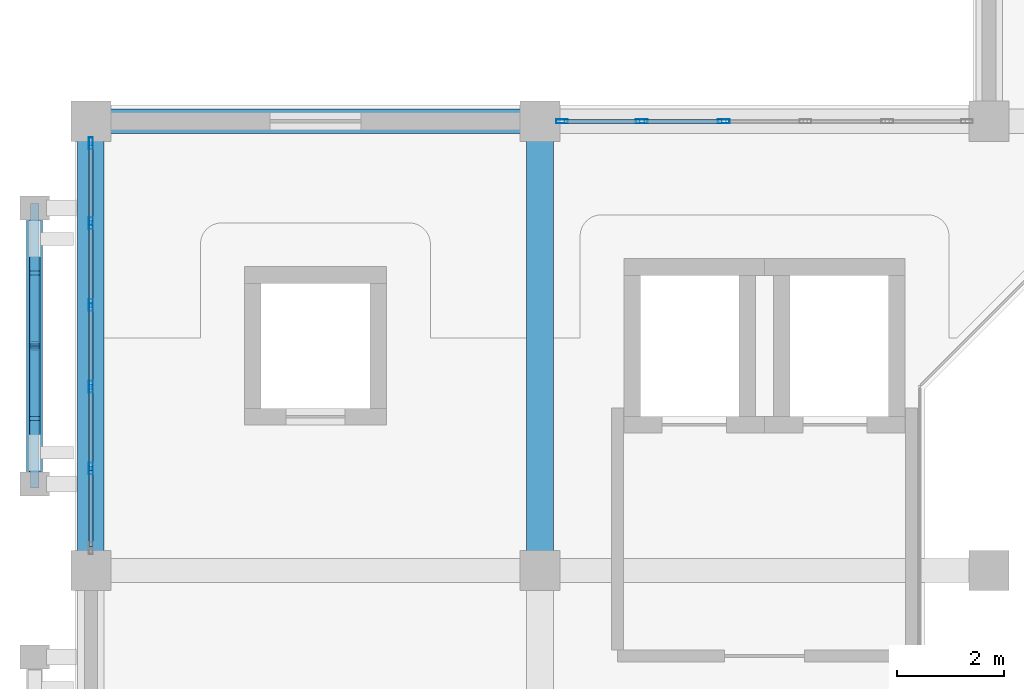
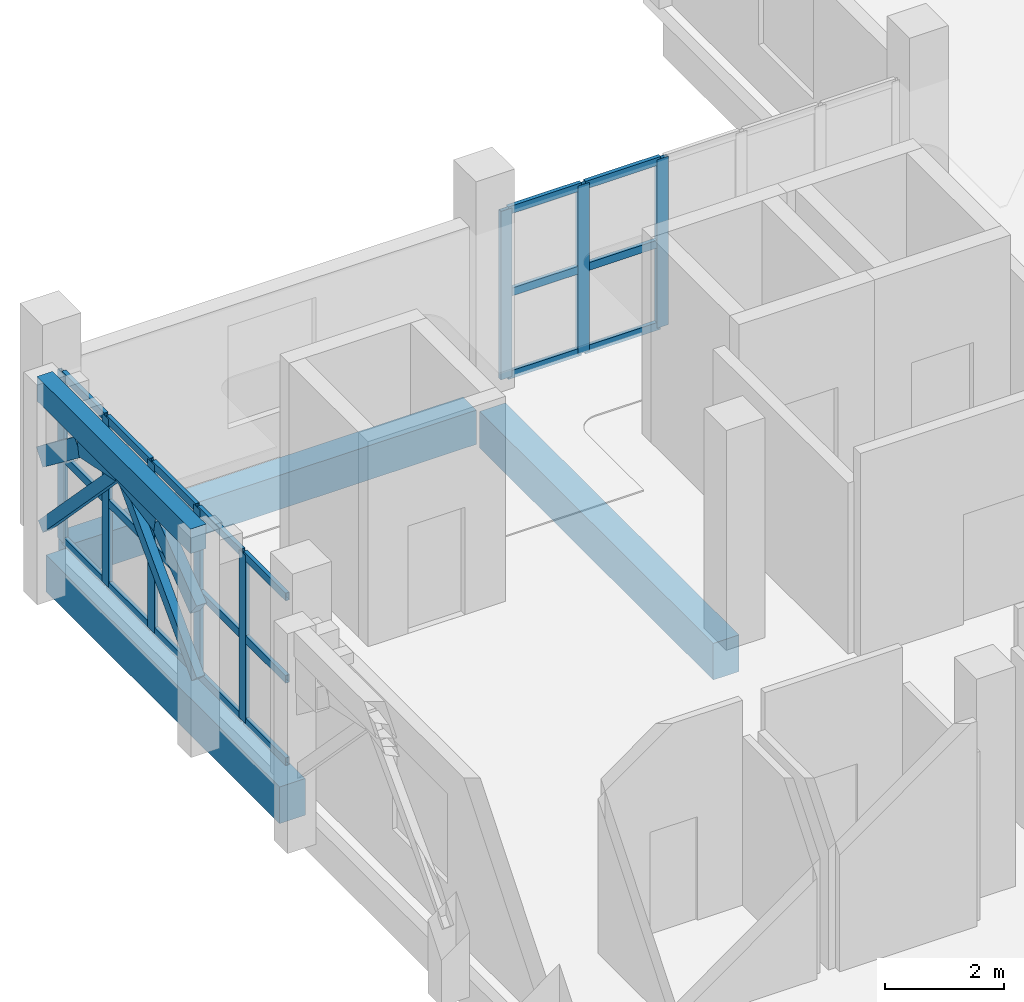
# One storey, part 9 of 30: 35 members, 4 beams, 2 elements without a shape of their own.
"""IFC4 building model written with IfcOpenShell, lengths in metres."""

from ifc_helpers import new_model, si_unit, direction, frame, origin, origin_2d, place, context, subcontext, project, spatial, rectangle, hollow_rectangle, extrude, material, layer, layer_set, material_profile, profile_set, type_object, element, aggregate, save


model = new_model("IFC4")

# Units and contexts
model_context = context("Model", 3, precision=1e-05, world=origin(), true_north=direction((0.0, 1.0)))
body_context = subcontext(model_context, "Body", "Model", "MODEL_VIEW")
ifc_project = project(units=[si_unit("LENGTHUNIT", "METRE"), si_unit("AREAUNIT", "SQUARE_METRE"), si_unit("VOLUMEUNIT", "CUBIC_METRE"), si_unit("PLANEANGLEUNIT", "RADIAN"), si_unit("MASSUNIT", "GRAM", prefix="KILO")], contexts=[model_context])

# Site, building, storey
site_placement = place(None, origin())
site = spatial("IfcSite", under=ifc_project, at=site_placement, CompositionType="ELEMENT")
building_placement = place(site_placement, origin())
building = spatial("IfcBuilding", under=site, at=building_placement, Name="Xazarin Passage Department Store", CompositionType="ELEMENT")
storey_placement = place(building_placement, frame((0.0, 0.0, 23.39990234375)))
storey = spatial("IfcBuildingStorey", under=building, at=storey_placement, Name="L05", CompositionType="ELEMENT", Elevation=23.39990234375)

# Curtain wall, members
ifc_material_1 = material(Name="Bronze anodised aluminium", Category="aluminium")
ifc_layer = layer(ifc_material_1, 0.199951171875)
ifc_layer_set = layer_set([ifc_layer], Name="Bronze anodised aluminium")
curtain_wall_type = type_object("IfcCurtainWallType", Name="ARC-CW-VIT2", PredefinedType="NOTDEFINED", material=ifc_layer_set)
curtain_wall_1_placement = place(storey_placement, origin())
curtain_wall_1 = element("IfcCurtainWall", 1, at=curtain_wall_1_placement, inside=storey, type_object=curtain_wall_type, Name="L05 V1 Curtain Wall 079", PredefinedType="NOTDEFINED")
ifc_material_profile_1 = material_profile(ifc_material_1, hollow_rectangle(XDim=0.074951171875, YDim=0.219970703125, WallThickness=0.0048828125, at=origin_2d()), Name="ALU 75x220")
ifc_profile_set_1 = profile_set([ifc_material_profile_1], Name="Bronze anodised aluminium")
member_type_1 = type_object("IfcMemberType", Name="ARC-CWM-75x220", PredefinedType="MULLION", material=ifc_profile_set_1)
member_1_placement = place(storey_placement, frame((8.8125, 101.60009765625, 0.0), z_axis=(0.0, 0.0, 1.0), x_axis=(0.0, 1.0, 0.0)))
member_1 = element("IfcMember", 2, at=member_1_placement, type_object=member_type_1, Name="CW2 mullion 1", PredefinedType="MULLION", context=body_context, shape_type="SweptSolid", body=[
    extrude(hollow_rectangle(XDim=0.074951171875, YDim=0.219970703125, WallThickness=0.0048828125, at=origin_2d()), origin(), (0.0, 0.0, 1.0), 3.4501953125),
])
member_2_placement = place(storey_placement, frame((10.304931640625, 101.60009765625, 0.0), z_axis=(0.0, 0.0, 1.0), x_axis=(0.0, 1.0, 0.0)))
member_2 = element("IfcMember", 3, at=member_2_placement, type_object=member_type_1, Name="CW2 mullion 2", PredefinedType="MULLION", context=body_context, shape_type="SweptSolid", body=[
    extrude(hollow_rectangle(XDim=0.074951171875, YDim=0.219970703125, WallThickness=0.0048828125, at=origin_2d()), origin(), (0.0, 0.0, 1.0), 3.4501953125),
])
member_3_placement = place(storey_placement, frame((11.8349609375, 101.60009765625, 0.0), z_axis=(0.0, 0.0, 1.0), x_axis=(0.0, 1.0, 0.0)))
member_3 = element("IfcMember", 4, at=member_3_placement, type_object=member_type_1, Name="CW2 mullion 3", PredefinedType="MULLION", context=body_context, shape_type="SweptSolid", body=[
    extrude(hollow_rectangle(XDim=0.074951171875, YDim=0.219970703125, WallThickness=0.0048828125, at=origin_2d()), origin(), (0.0, 0.0, 1.0), 3.4501953125),
])

curtain_wall_2_placement = place(storey_placement, origin())
curtain_wall_2 = element("IfcCurtainWall", 5, at=curtain_wall_2_placement, inside=storey, type_object=curtain_wall_type, Name="L05 V1 Curtain Wall 082", PredefinedType="NOTDEFINED")
member_4_placement = place(storey_placement, frame((0.0, 95.10498046875, 0.0), z_axis=(0.0, 0.0, 1.0), x_axis=(-1.0, 0.0, 0.0)))
member_4 = element("IfcMember", 6, at=member_4_placement, type_object=member_type_1, Name="CW2 mullion 2", PredefinedType="MULLION", context=body_context, shape_type="SweptSolid", body=[
    extrude(hollow_rectangle(XDim=0.074951171875, YDim=0.219970703125, WallThickness=0.0048828125, at=origin_2d()), origin(), (0.0, 0.0, 1.0), 3.4501953125),
])
member_5_placement = place(storey_placement, frame((0.0, 96.635009765625, 0.0), z_axis=(0.0, 0.0, 1.0), x_axis=(-1.0, 0.0, 0.0)))
member_5 = element("IfcMember", 7, at=member_5_placement, type_object=member_type_1, Name="CW2 mullion 3", PredefinedType="MULLION", context=body_context, shape_type="SweptSolid", body=[
    extrude(hollow_rectangle(XDim=0.074951171875, YDim=0.219970703125, WallThickness=0.0048828125, at=origin_2d()), origin(), (0.0, 0.0, 1.0), 3.4501953125),
])
member_6_placement = place(storey_placement, frame((0.0, 98.1650390625, 0.0), z_axis=(0.0, 0.0, 1.0), x_axis=(-1.0, 0.0, 0.0)))
member_6 = element("IfcMember", 8, at=member_6_placement, type_object=member_type_1, Name="CW2 mullion 4", PredefinedType="MULLION", context=body_context, shape_type="SweptSolid", body=[
    extrude(hollow_rectangle(XDim=0.074951171875, YDim=0.219970703125, WallThickness=0.0048828125, at=origin_2d()), origin(), (0.0, 0.0, 1.0), 3.4501953125),
])
member_7_placement = place(storey_placement, frame((0.0, 99.695068359375, 0.0), z_axis=(0.0, 0.0, 1.0), x_axis=(-1.0, 0.0, 0.0)))
member_7 = element("IfcMember", 9, at=member_7_placement, type_object=member_type_1, Name="CW2 mullion 5", PredefinedType="MULLION", context=body_context, shape_type="SweptSolid", body=[
    extrude(hollow_rectangle(XDim=0.074951171875, YDim=0.219970703125, WallThickness=0.0048828125, at=origin_2d()), origin(), (0.0, 0.0, 1.0), 3.4501953125),
])
member_8_placement = place(storey_placement, frame((0.0, 101.1875, 0.0), z_axis=(0.0, 0.0, 1.0), x_axis=(-1.0, 0.0, 0.0)))
member_8 = element("IfcMember", 10, at=member_8_placement, type_object=member_type_1, Name="CW2 mullion 6", PredefinedType="MULLION", context=body_context, shape_type="SweptSolid", body=[
    extrude(hollow_rectangle(XDim=0.074951171875, YDim=0.219970703125, WallThickness=0.0048828125, at=origin_2d()), origin(), (0.0, 0.0, 1.0), 3.4501953125),
])

# Member
ifc_material_profile_2 = material_profile(ifc_material_1, hollow_rectangle(XDim=0.074951171875, YDim=0.159912109375, WallThickness=0.00439453125, at=origin_2d()), Name="ALU 75x160")
ifc_profile_set_2 = profile_set([ifc_material_profile_2], Name="Bronze anodised aluminium")
member_type_2 = type_object("IfcMemberType", Name="ARC-CWT-75x160", PredefinedType="USERDEFINED", material=ifc_profile_set_2)
member_9_placement = place(storey_placement, frame((8.85009765625, 101.60009765625, 0.03759765625), z_axis=(1.0, 0.0, 0.0), x_axis=(0.0, 1.0, 0.0)))
member_9 = element("IfcMember", 11, at=member_9_placement, type_object=member_type_2, Name="CW2 transom 1.1", ObjectType="TRANSOM", PredefinedType="USERDEFINED", context=body_context, shape_type="SweptSolid", body=[
    extrude(hollow_rectangle(XDim=0.074951171875, YDim=0.159912109375, WallThickness=0.00439453125, at=origin_2d()), origin(), (0.0, 0.0, 1.0), 1.41748046875),
])

member_10_placement = place(storey_placement, frame((8.85009765625, 101.60009765625, 1.72509765625), z_axis=(1.0, 0.0, 0.0), x_axis=(0.0, 1.0, 0.0)))
member_10 = element("IfcMember", 12, at=member_10_placement, type_object=member_type_2, Name="CW2 transom 1.2", ObjectType="TRANSOM", PredefinedType="USERDEFINED", context=body_context, shape_type="SweptSolid", body=[
    extrude(hollow_rectangle(XDim=0.074951171875, YDim=0.159912109375, WallThickness=0.00439453125, at=origin_2d()), origin(), (0.0, 0.0, 1.0), 1.41748046875),
])

member_11_placement = place(storey_placement, frame((8.85009765625, 101.60009765625, 3.41259765625), z_axis=(1.0, 0.0, 0.0), x_axis=(0.0, 1.0, 0.0)))
member_11 = element("IfcMember", 13, at=member_11_placement, type_object=member_type_2, Name="CW2 transom 1.3", ObjectType="TRANSOM", PredefinedType="USERDEFINED", context=body_context, shape_type="SweptSolid", body=[
    extrude(hollow_rectangle(XDim=0.074951171875, YDim=0.159912109375, WallThickness=0.00439453125, at=origin_2d()), origin(), (0.0, 0.0, 1.0), 1.41748046875),
])

member_12_placement = place(storey_placement, frame((10.342529296875, 101.60009765625, 0.03759765625), z_axis=(1.0, 0.0, 0.0), x_axis=(0.0, 1.0, 0.0)))
member_12 = element("IfcMember", 14, at=member_12_placement, type_object=member_type_2, Name="CW2 transom 2.1", ObjectType="TRANSOM", PredefinedType="USERDEFINED", context=body_context, shape_type="SweptSolid", body=[
    extrude(hollow_rectangle(XDim=0.074951171875, YDim=0.159912109375, WallThickness=0.00439453125, at=origin_2d()), origin(), (0.0, 0.0, 1.0), 1.455078125),
])

member_13_placement = place(storey_placement, frame((10.342529296875, 101.60009765625, 1.72509765625), z_axis=(1.0, 0.0, 0.0), x_axis=(0.0, 1.0, 0.0)))
member_13 = element("IfcMember", 15, at=member_13_placement, type_object=member_type_2, Name="CW2 transom 2.2", ObjectType="TRANSOM", PredefinedType="USERDEFINED", context=body_context, shape_type="SweptSolid", body=[
    extrude(hollow_rectangle(XDim=0.074951171875, YDim=0.159912109375, WallThickness=0.00439453125, at=origin_2d()), origin(), (0.0, 0.0, 1.0), 1.455078125),
])

member_14_placement = place(storey_placement, frame((10.342529296875, 101.60009765625, 3.41259765625), z_axis=(1.0, 0.0, 0.0), x_axis=(0.0, 1.0, 0.0)))
member_14 = element("IfcMember", 16, at=member_14_placement, type_object=member_type_2, Name="CW2 transom 2.3", ObjectType="TRANSOM", PredefinedType="USERDEFINED", context=body_context, shape_type="SweptSolid", body=[
    extrude(hollow_rectangle(XDim=0.074951171875, YDim=0.159912109375, WallThickness=0.00439453125, at=origin_2d()), origin(), (0.0, 0.0, 1.0), 1.455078125),
])

aggregate(curtain_wall_1, [member_1, member_2, member_3, member_9, member_10, member_11, member_12, member_13, member_14])

member_15_placement = place(storey_placement, frame((0.0, 93.64990234375, 0.03759765625), z_axis=(0.0, 1.0, 0.0), x_axis=(-1.0, 0.0, 0.0)))
member_15 = element("IfcMember", 17, at=member_15_placement, type_object=member_type_2, Name="CW2 transom 1.1", ObjectType="TRANSOM", PredefinedType="USERDEFINED", context=body_context, shape_type="SweptSolid", body=[
    extrude(hollow_rectangle(XDim=0.074951171875, YDim=0.159912109375, WallThickness=0.00439453125, at=origin_2d()), origin(), (0.0, 0.0, 1.0), 1.41748046875),
])

member_16_placement = place(storey_placement, frame((0.0, 93.64990234375, 1.72509765625), z_axis=(0.0, 1.0, 0.0), x_axis=(-1.0, 0.0, 0.0)))
member_16 = element("IfcMember", 18, at=member_16_placement, type_object=member_type_2, Name="CW2 transom 1.2", ObjectType="TRANSOM", PredefinedType="USERDEFINED", context=body_context, shape_type="SweptSolid", body=[
    extrude(hollow_rectangle(XDim=0.074951171875, YDim=0.159912109375, WallThickness=0.00439453125, at=origin_2d()), origin(), (0.0, 0.0, 1.0), 1.41748046875),
])

member_17_placement = place(storey_placement, frame((0.0, 93.64990234375, 3.41259765625), z_axis=(0.0, 1.0, 0.0), x_axis=(-1.0, 0.0, 0.0)))
member_17 = element("IfcMember", 19, at=member_17_placement, type_object=member_type_2, Name="CW2 transom 1.3", ObjectType="TRANSOM", PredefinedType="USERDEFINED", context=body_context, shape_type="SweptSolid", body=[
    extrude(hollow_rectangle(XDim=0.074951171875, YDim=0.159912109375, WallThickness=0.00439453125, at=origin_2d()), origin(), (0.0, 0.0, 1.0), 1.41748046875),
])

member_18_placement = place(storey_placement, frame((0.0, 95.142578125, 0.03759765625), z_axis=(0.0, 1.0, 0.0), x_axis=(-1.0, 0.0, 0.0)))
member_18 = element("IfcMember", 20, at=member_18_placement, type_object=member_type_2, Name="CW2 transom 2.1", ObjectType="TRANSOM", PredefinedType="USERDEFINED", context=body_context, shape_type="SweptSolid", body=[
    extrude(hollow_rectangle(XDim=0.074951171875, YDim=0.159912109375, WallThickness=0.00439453125, at=origin_2d()), origin(), (0.0, 0.0, 1.0), 1.454833984375),
])

member_19_placement = place(storey_placement, frame((0.0, 95.142578125, 1.72509765625), z_axis=(0.0, 1.0, 0.0), x_axis=(-1.0, 0.0, 0.0)))
member_19 = element("IfcMember", 21, at=member_19_placement, type_object=member_type_2, Name="CW2 transom 2.2", ObjectType="TRANSOM", PredefinedType="USERDEFINED", context=body_context, shape_type="SweptSolid", body=[
    extrude(hollow_rectangle(XDim=0.074951171875, YDim=0.159912109375, WallThickness=0.00439453125, at=origin_2d()), origin(), (0.0, 0.0, 1.0), 1.454833984375),
])

member_20_placement = place(storey_placement, frame((0.0, 95.142578125, 3.41259765625), z_axis=(0.0, 1.0, 0.0), x_axis=(-1.0, 0.0, 0.0)))
member_20 = element("IfcMember", 22, at=member_20_placement, type_object=member_type_2, Name="CW2 transom 2.3", ObjectType="TRANSOM", PredefinedType="USERDEFINED", context=body_context, shape_type="SweptSolid", body=[
    extrude(hollow_rectangle(XDim=0.074951171875, YDim=0.159912109375, WallThickness=0.00439453125, at=origin_2d()), origin(), (0.0, 0.0, 1.0), 1.454833984375),
])

member_21_placement = place(storey_placement, frame((0.0, 96.672607421875, 0.03759765625), z_axis=(0.0, 1.0, 0.0), x_axis=(-1.0, 0.0, 0.0)))
member_21 = element("IfcMember", 23, at=member_21_placement, type_object=member_type_2, Name="CW2 transom 3.1", ObjectType="TRANSOM", PredefinedType="USERDEFINED", context=body_context, shape_type="SweptSolid", body=[
    extrude(hollow_rectangle(XDim=0.074951171875, YDim=0.159912109375, WallThickness=0.00439453125, at=origin_2d()), origin(), (0.0, 0.0, 1.0), 1.454833984375),
])

member_22_placement = place(storey_placement, frame((0.0, 96.672607421875, 1.72509765625), z_axis=(0.0, 1.0, 0.0), x_axis=(-1.0, 0.0, 0.0)))
member_22 = element("IfcMember", 24, at=member_22_placement, type_object=member_type_2, Name="CW2 transom 3.2", ObjectType="TRANSOM", PredefinedType="USERDEFINED", context=body_context, shape_type="SweptSolid", body=[
    extrude(hollow_rectangle(XDim=0.074951171875, YDim=0.159912109375, WallThickness=0.00439453125, at=origin_2d()), origin(), (0.0, 0.0, 1.0), 1.454833984375),
])

member_23_placement = place(storey_placement, frame((0.0, 96.672607421875, 3.41259765625), z_axis=(0.0, 1.0, 0.0), x_axis=(-1.0, 0.0, 0.0)))
member_23 = element("IfcMember", 25, at=member_23_placement, type_object=member_type_2, Name="CW2 transom 3.3", ObjectType="TRANSOM", PredefinedType="USERDEFINED", context=body_context, shape_type="SweptSolid", body=[
    extrude(hollow_rectangle(XDim=0.074951171875, YDim=0.159912109375, WallThickness=0.00439453125, at=origin_2d()), origin(), (0.0, 0.0, 1.0), 1.454833984375),
])

member_24_placement = place(storey_placement, frame((0.0, 98.202392578125, 0.03759765625), z_axis=(0.0, 1.0, 0.0), x_axis=(-1.0, 0.0, 0.0)))
member_24 = element("IfcMember", 26, at=member_24_placement, type_object=member_type_2, Name="CW2 transom 4.1", ObjectType="TRANSOM", PredefinedType="USERDEFINED", context=body_context, shape_type="SweptSolid", body=[
    extrude(hollow_rectangle(XDim=0.074951171875, YDim=0.159912109375, WallThickness=0.00439453125, at=origin_2d()), origin(), (0.0, 0.0, 1.0), 1.455078125),
])

member_25_placement = place(storey_placement, frame((0.0, 98.202392578125, 1.72509765625), z_axis=(0.0, 1.0, 0.0), x_axis=(-1.0, 0.0, 0.0)))
member_25 = element("IfcMember", 27, at=member_25_placement, type_object=member_type_2, Name="CW2 transom 4.2", ObjectType="TRANSOM", PredefinedType="USERDEFINED", context=body_context, shape_type="SweptSolid", body=[
    extrude(hollow_rectangle(XDim=0.074951171875, YDim=0.159912109375, WallThickness=0.00439453125, at=origin_2d()), origin(), (0.0, 0.0, 1.0), 1.455078125),
])

member_26_placement = place(storey_placement, frame((0.0, 98.202392578125, 3.41259765625), z_axis=(0.0, 1.0, 0.0), x_axis=(-1.0, 0.0, 0.0)))
member_26 = element("IfcMember", 28, at=member_26_placement, type_object=member_type_2, Name="CW2 transom 4.3", ObjectType="TRANSOM", PredefinedType="USERDEFINED", context=body_context, shape_type="SweptSolid", body=[
    extrude(hollow_rectangle(XDim=0.074951171875, YDim=0.159912109375, WallThickness=0.00439453125, at=origin_2d()), origin(), (0.0, 0.0, 1.0), 1.455078125),
])

member_27_placement = place(storey_placement, frame((0.0, 99.732421875, 0.03759765625), z_axis=(0.0, 1.0, 0.0), x_axis=(-1.0, 0.0, 0.0)))
member_27 = element("IfcMember", 29, at=member_27_placement, type_object=member_type_2, Name="CW2 transom 5.1", ObjectType="TRANSOM", PredefinedType="USERDEFINED", context=body_context, shape_type="SweptSolid", body=[
    extrude(hollow_rectangle(XDim=0.074951171875, YDim=0.159912109375, WallThickness=0.00439453125, at=origin_2d()), origin(), (0.0, 0.0, 1.0), 1.41748046875),
])

member_28_placement = place(storey_placement, frame((0.0, 99.732421875, 1.72509765625), z_axis=(0.0, 1.0, 0.0), x_axis=(-1.0, 0.0, 0.0)))
member_28 = element("IfcMember", 30, at=member_28_placement, type_object=member_type_2, Name="CW2 transom 5.2", ObjectType="TRANSOM", PredefinedType="USERDEFINED", context=body_context, shape_type="SweptSolid", body=[
    extrude(hollow_rectangle(XDim=0.074951171875, YDim=0.159912109375, WallThickness=0.00439453125, at=origin_2d()), origin(), (0.0, 0.0, 1.0), 1.41748046875),
])

member_29_placement = place(storey_placement, frame((0.0, 99.732421875, 3.41259765625), z_axis=(0.0, 1.0, 0.0), x_axis=(-1.0, 0.0, 0.0)))
member_29 = element("IfcMember", 31, at=member_29_placement, type_object=member_type_2, Name="CW2 transom 5.3", ObjectType="TRANSOM", PredefinedType="USERDEFINED", context=body_context, shape_type="SweptSolid", body=[
    extrude(hollow_rectangle(XDim=0.074951171875, YDim=0.159912109375, WallThickness=0.00439453125, at=origin_2d()), origin(), (0.0, 0.0, 1.0), 1.41748046875),
])

aggregate(curtain_wall_2, [member_4, member_5, member_6, member_7, member_8, member_15, member_16, member_17, member_18, member_19, member_20, member_21, member_22, member_23, member_24, member_25, member_26, member_27, member_28, member_29])

# Beams
ifc_material_2 = material(Name="Concrete C35/45", Category="concrete")
ifc_material_profile_3 = material_profile(ifc_material_2, rectangle(XDim=0.449951171875, YDim=0.699951171875, at=origin_2d()), Name="RC 450x700")
ifc_profile_set_3 = profile_set([ifc_material_profile_3], Name="Concrete C35/45")
beam_type_1 = type_object("IfcBeamType", Name="STR-BM-G450x700", PredefinedType="BEAM", material=ifc_profile_set_3)
beam_1_placement = place(storey_placement, frame((0.280029296875, 101.60009765625, -0.64990234375), z_axis=(1.0, 0.0, 0.0), x_axis=(0.0, 1.0, 0.0)))
element("IfcBeam", 32, at=beam_1_placement, inside=storey, type_object=beam_type_1, Name="L05 Grid Beam P/1-2", PredefinedType="BEAM", context=body_context, shape_type="SweptSolid", body=[
    extrude(rectangle(XDim=0.449951171875, YDim=0.699951171875, at=origin_2d()), origin(), (0.0, 0.0, 1.0), 7.840087890625),
])
ifc_material_profile_4 = material_profile(ifc_material_2, rectangle(XDim=0.300048828125, YDim=0.5, at=origin_2d()), Name="RC 300x500")
ifc_profile_set_4 = profile_set([ifc_material_profile_4], Name="Concrete C35/45")
beam_type_2 = type_object("IfcBeamType", Name="STR-BM-LN300x500", PredefinedType="LINTEL", material=ifc_profile_set_4)
beam_2_placement = place(storey_placement, frame((-1.050048828125, 94.820068359375, 4.25), z_axis=(0.0, 1.0, 0.0), x_axis=(-1.0, 0.0, 0.0)))
element("IfcBeam", 33, at=beam_2_placement, inside=storey, type_object=beam_type_2, Name="L05 V1 Colonnade Spandrel Beam 013", PredefinedType="LINTEL", context=body_context, shape_type="SweptSolid", body=[
    extrude(rectangle(XDim=0.300048828125, YDim=0.5, at=origin_2d()), origin(), (0.0, 0.0, 1.0), 5.159912109375),
])
ifc_material_profile_5 = material_profile(ifc_material_2, rectangle(XDim=0.5, YDim=0.75, at=origin_2d()), Name="RC 500x750")
ifc_profile_set_5 = profile_set([ifc_material_profile_5], Name="Concrete C35/45")
beam_type_3 = type_object("IfcBeamType", Name="STR-BM-SP500x750", PredefinedType="SPANDREL", material=ifc_profile_set_5)
for number, where, z_axis, x_axis, name in (
    (34, (0.0, 93.47998046875, -0.6748046875), (0.0, 1.0, 0.0), (-1.0, 0.0, 0.0), "L05 Grid Beam 1/N-P"),
    (35, (8.39990234375, 93.47998046875, -0.6748046875), (0.0, 1.0, 0.0), (-1.0, 0.0, 0.0), "L05 Grid Beam 2/N-P"),
):
    element("IfcBeam", number, at=place(storey_placement, frame(where, z_axis=z_axis, x_axis=x_axis)), inside=storey, type_object=beam_type_3, Name=name, PredefinedType="SPANDREL", context=body_context, shape_type="SweptSolid", body=[
        extrude(rectangle(XDim=0.5, YDim=0.75, at=origin_2d()), origin(), (0.0, 0.0, 1.0), 7.840087890625),
    ])

# Members
ifc_material_3 = material(Name="Concrete C40/50", Category="concrete")
ifc_material_profile_6 = material_profile(ifc_material_3, rectangle(XDim=0.199951171875, YDim=0.360107421875, at=origin_2d()), Name="RC 200x360")
ifc_profile_set_6 = profile_set([ifc_material_profile_6], Name="Concrete C40/50")
member_type_3 = type_object("IfcMemberType", Name="STR-MEM-ARC360", PredefinedType="CHORD", material=ifc_profile_set_6)
member_30_placement = place(storey_placement, frame((-1.050048828125, 94.820068359375, 2.830078125), z_axis=(0.0, 0.79440903847, 0.607383140692), x_axis=(-1.0, 0.0, 0.0)))
element("IfcMember", 36, at=member_30_placement, inside=storey, type_object=member_type_3, Name="L05 V1 Pierced Lattice Curved Arch 013.1", PredefinedType="CHORD", context=body_context, shape_type="SweptSolid", body=[
    extrude(rectangle(XDim=0.199951171875, YDim=0.360107421875, at=origin_2d()), origin(), (0.0, 0.0, 1.0), 1.623779296875),
])
member_31_placement = place(storey_placement, frame((-1.050048828125, 96.110107421875, 3.81640625), z_axis=(0.0, 0.979737268571, 0.2002870055), x_axis=(-1.0, 0.0, 0.0)))
element("IfcMember", 37, at=member_31_placement, inside=storey, type_object=member_type_3, Name="L05 V1 Pierced Lattice Curved Arch 013.2", PredefinedType="CHORD", context=body_context, shape_type="SweptSolid", body=[
    extrude(rectangle(XDim=0.199951171875, YDim=0.360107421875, at=origin_2d()), origin(), (0.0, 0.0, 1.0), 1.31640625),
])
member_32_placement = place(storey_placement, frame((-1.050048828125, 97.39990234375, 4.080078125), z_axis=(0.0, 0.979744705887, -0.200250621188), x_axis=(-1.0, 0.0, 0.0)))
element("IfcMember", 38, at=member_32_placement, inside=storey, type_object=member_type_3, Name="L05 V1 Pierced Lattice Curved Arch 013.3", PredefinedType="CHORD", context=body_context, shape_type="SweptSolid", body=[
    extrude(rectangle(XDim=0.199951171875, YDim=0.360107421875, at=origin_2d()), origin(), (0.0, 0.0, 1.0), 1.316650390625),
])
member_33_placement = place(storey_placement, frame((-1.050048828125, 98.68994140625, 3.81640625), z_axis=(0.0, 0.79440903847, -0.607383140692), x_axis=(-1.0, 0.0, 0.0)))
element("IfcMember", 39, at=member_33_placement, inside=storey, type_object=member_type_3, Name="L05 V1 Pierced Lattice Curved Arch 013.4", PredefinedType="CHORD", context=body_context, shape_type="SweptSolid", body=[
    extrude(rectangle(XDim=0.199951171875, YDim=0.360107421875, at=origin_2d()), origin(), (0.0, 0.0, 1.0), 1.623779296875),
])
ifc_material_profile_7 = material_profile(ifc_material_3, rectangle(XDim=0.159912109375, YDim=0.219970703125, at=origin_2d()), Name="RC 160x220")
ifc_profile_set_7 = profile_set([ifc_material_profile_7], Name="Concrete C40/50")
member_type_4 = type_object("IfcMemberType", Name="STR-MEM-TRC220", PredefinedType="CHORD", material=ifc_profile_set_7)
for number, where, z_axis, x_axis, name in (
    (40, (-1.050048828125, 97.39990234375, 4.080078125), (0.0, -0.693524382622, -0.72043315492), (1.0, 0.0, 0.0), "L05 V1 Upper Lattice Tracery Arch 013L"),
    (41, (-1.050048828125, 97.39990234375, 4.080078125), (0.0, 0.693558444435, -0.720400363793), (-1.0, 0.0, 0.0), "L05 V1 Upper Lattice Tracery Arch 013R"),
):
    element("IfcMember", number, at=place(storey_placement, frame(where, z_axis=z_axis, x_axis=x_axis)), inside=storey, type_object=member_type_4, Name=name, PredefinedType="CHORD", context=body_context, shape_type="SweptSolid", body=[
        extrude(rectangle(XDim=0.159912109375, YDim=0.219970703125, at=origin_2d()), origin(), (0.0, 0.0, 1.0), 3.719970703125),
    ])

save(model, "model.ifc")
